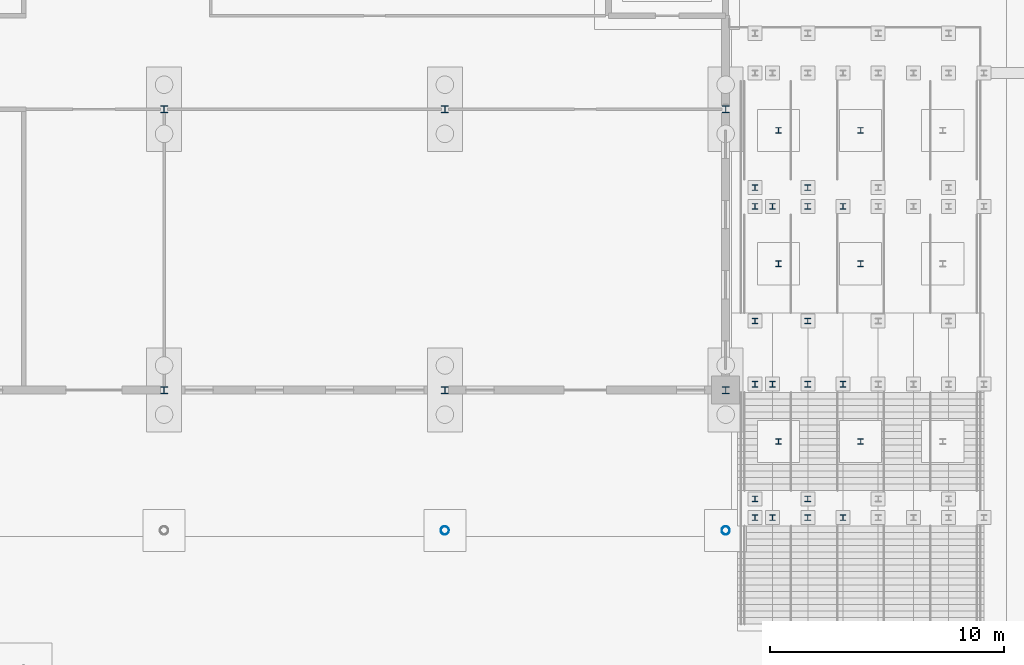
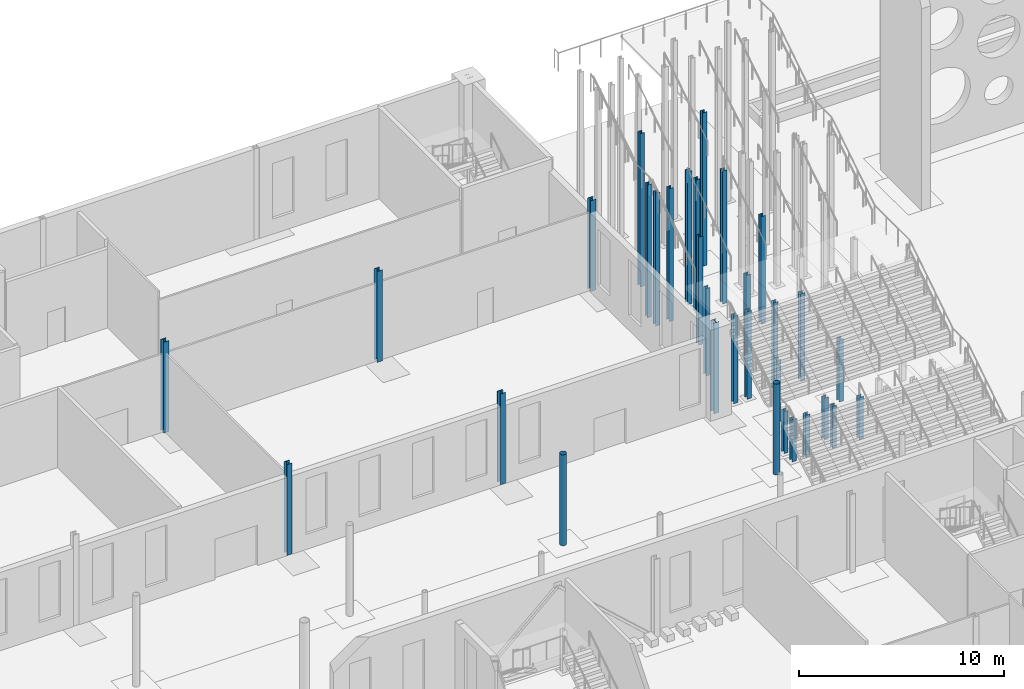
# One storey, part 33 of 132: 32 columns.
"""IFC4 building model written with IfcOpenShell, lengths in metres."""

from ifc_helpers import new_model, si_unit, direction, frame, origin, origin_2d, place, context, subcontext, project, spatial, hollow_circle, i_section, extrude, material, material_profile, profile_set, type_object, element, save


model = new_model("IFC4")

# Units and contexts
model_context = context("Model", 3, precision=1e-05, world=origin(), true_north=direction((0.0, 1.0)))
body_context = subcontext(model_context, "Body", "Model", "MODEL_VIEW")
ifc_project = project(units=[si_unit("LENGTHUNIT", "METRE"), si_unit("AREAUNIT", "SQUARE_METRE"), si_unit("VOLUMEUNIT", "CUBIC_METRE"), si_unit("PLANEANGLEUNIT", "RADIAN"), si_unit("MASSUNIT", "GRAM", prefix="KILO")], contexts=[model_context])

# Site, building, storey
site_placement = place(None, origin())
site = spatial("IfcSite", under=ifc_project, at=site_placement, CompositionType="ELEMENT")
building_placement = place(site_placement, origin())
building = spatial("IfcBuilding", under=site, at=building_placement, Name="Ravi Spectrum Wholesale Market", CompositionType="ELEMENT")
storey_placement = place(building_placement, origin())
storey = spatial("IfcBuildingStorey", under=building, at=storey_placement, Name="L00", CompositionType="ELEMENT", Elevation=0.0)

# Columns
ifc_material_1 = material(Name="Steel S355", Category="steel")
ifc_material_profile_1 = material_profile(ifc_material_1, hollow_circle(Radius=0.177734375, WallThickness=0.012451171875, at=origin_2d()))
ifc_profile_set_1 = profile_set([ifc_material_profile_1], Name="Steel S355")
column_type_1 = type_object("IfcColumnType", Name="CHS 355.6x12.5 column", PredefinedType="COLUMN", material=ifc_profile_set_1)
for number, where, z_axis, x_axis, name in (
    (1, (48.0, 204.0, 0.0), (0.0, 0.0, 1.0), (1.0, 0.0, 0.0), "OF-COL-L00-019"),
    (2, (60.0, 204.0, 0.0), (0.0, 0.0, 1.0), (1.0, 0.0, 0.0), "OF-COL-L00-020"),
):
    element("IfcColumn", number, at=place(storey_placement, frame(where, z_axis=z_axis, x_axis=x_axis)), inside=storey, type_object=column_type_1, Name=name, PredefinedType="COLUMN", context=body_context, shape_type="SweptSolid", body=[
        extrude(hollow_circle(Radius=0.177734375, WallThickness=0.012451171875, at=origin_2d()), origin(), (0.0, 0.0, 1.0), 5.39990234375),
    ])
ifc_material_2 = material(Name="Steel S355", Category="steel")
ifc_material_profile_2 = material_profile(ifc_material_2, i_section(OverallWidth=0.239990234375, OverallDepth=0.239990234375, WebThickness=0.010009765625, FlangeThickness=0.01708984375, at=origin_2d()))
ifc_profile_set_2 = profile_set([ifc_material_profile_2], Name="Steel S355")
column_type_2 = type_object("IfcColumnType", Name="HEB 240 column", PredefinedType="COLUMN", material=ifc_profile_set_2)
for number, where, z_axis, x_axis, name in (
    (3, (61.25, 204.550048828125, 0.0), (0.0, 0.0, 1.0), (1.0, 0.0, 0.0), "GW-COL-L00-001"),
    (4, (61.25, 205.35009765625, 0.0), (0.0, 0.0, 1.0), (1.0, 0.0, 0.0), "GW-COL-L00-002"),
    (5, (62.0048828125, 204.550048828125, 0.0), (0.0, 0.0, 1.0), (1.0, 0.0, 0.0), "GW-COL-L00-003"),
    (6, (63.510009765625, 204.550048828125, 0.0), (0.0, 0.0, 1.0), (1.0, 0.0, 0.0), "GW-COL-L00-004"),
    (7, (63.510009765625, 205.35009765625, 0.0), (0.0, 0.0, 1.0), (1.0, 0.0, 0.0), "GW-COL-L00-005"),
    (8, (65.014892578125, 204.550048828125, 0.0), (0.0, 0.0, 1.0), (1.0, 0.0, 0.0), "GW-COL-L00-006"),
):
    element("IfcColumn", number, at=place(storey_placement, frame(where, z_axis=z_axis, x_axis=x_axis)), inside=storey, type_object=column_type_2, Name=name, PredefinedType="COLUMN", context=body_context, shape_type="SweptSolid", body=[
        extrude(i_section(OverallWidth=0.239990234375, OverallDepth=0.239990234375, WebThickness=0.010009765625, FlangeThickness=0.01708984375, at=origin_2d()), origin(), (0.0, 0.0, 1.0), 2.5),
    ])
for number, where, z_axis, x_axis, name in (
    (9, (61.25, 210.25, 0.0), (0.0, 0.0, 1.0), (1.0, 0.0, 0.0), "GW-COL-L00-013"),
    (10, (61.25, 212.949951171875, 0.0), (0.0, 0.0, 1.0), (1.0, 0.0, 0.0), "GW-COL-L00-014"),
    (11, (62.0048828125, 210.25, 0.0), (0.0, 0.0, 1.0), (1.0, 0.0, 0.0), "GW-COL-L00-015"),
    (12, (63.510009765625, 210.25, 0.0), (0.0, 0.0, 1.0), (1.0, 0.0, 0.0), "GW-COL-L00-016"),
    (13, (63.510009765625, 212.949951171875, 0.0), (0.0, 0.0, 1.0), (1.0, 0.0, 0.0), "GW-COL-L00-017"),
    (14, (65.014892578125, 210.25, 0.0), (0.0, 0.0, 1.0), (1.0, 0.0, 0.0), "GW-COL-L00-018"),
):
    element("IfcColumn", number, at=place(storey_placement, frame(where, z_axis=z_axis, x_axis=x_axis)), inside=storey, type_object=column_type_2, Name=name, PredefinedType="COLUMN", context=body_context, shape_type="SweptSolid", body=[
        extrude(i_section(OverallWidth=0.239990234375, OverallDepth=0.239990234375, WebThickness=0.010009765625, FlangeThickness=0.01708984375, at=origin_2d()), origin(), (0.0, 0.0, 1.0), 5.199951171875),
    ])
for number, where, z_axis, x_axis, name in (
    (15, (61.25, 217.85009765625, 0.0), (0.0, 0.0, 1.0), (1.0, 0.0, 0.0), "GW-COL-L00-025"),
    (16, (61.25, 218.64990234375, 0.0), (0.0, 0.0, 1.0), (1.0, 0.0, 0.0), "GW-COL-L00-026"),
    (17, (62.0048828125, 217.85009765625, 0.0), (0.0, 0.0, 1.0), (1.0, 0.0, 0.0), "GW-COL-L00-027"),
    (18, (63.510009765625, 217.85009765625, 0.0), (0.0, 0.0, 1.0), (1.0, 0.0, 0.0), "GW-COL-L00-028"),
    (19, (63.510009765625, 218.64990234375, 0.0), (0.0, 0.0, 1.0), (1.0, 0.0, 0.0), "GW-COL-L00-029"),
    (20, (65.014892578125, 217.85009765625, 0.0), (0.0, 0.0, 1.0), (1.0, 0.0, 0.0), "GW-COL-L00-030"),
):
    element("IfcColumn", number, at=place(storey_placement, frame(where, z_axis=z_axis, x_axis=x_axis)), inside=storey, type_object=column_type_2, Name=name, PredefinedType="COLUMN", context=body_context, shape_type="SweptSolid", body=[
        extrude(i_section(OverallWidth=0.239990234375, OverallDepth=0.239990234375, WebThickness=0.010009765625, FlangeThickness=0.01708984375, at=origin_2d()), origin(), (0.0, 0.0, 1.0), 7.89990234375),
    ])
for number, where, z_axis, x_axis, name in (
    (21, (62.255859375, 207.800048828125, 0.0), (0.0, 0.0, 1.0), (1.0, 0.0, 0.0), "GW-COL-L00-049"),
    (22, (65.767578125, 207.800048828125, 0.0), (0.0, 0.0, 1.0), (1.0, 0.0, 0.0), "GW-COL-L00-050"),
):
    element("IfcColumn", number, at=place(storey_placement, frame(where, z_axis=z_axis, x_axis=x_axis)), inside=storey, type_object=column_type_2, Name=name, PredefinedType="COLUMN", context=body_context, shape_type="SweptSolid", body=[
        extrude(i_section(OverallWidth=0.239990234375, OverallDepth=0.239990234375, WebThickness=0.010009765625, FlangeThickness=0.01708984375, at=origin_2d()), origin(), (0.0, 0.0, 1.0), 3.71826171875),
    ])
for number, where, z_axis, x_axis, name in (
    (23, (62.255859375, 215.39990234375, 0.0), (0.0, 0.0, 1.0), (1.0, 0.0, 0.0), "GW-COL-L00-052"),
    (24, (65.767578125, 215.39990234375, 0.0), (0.0, 0.0, 1.0), (1.0, 0.0, 0.0), "GW-COL-L00-053"),
):
    element("IfcColumn", number, at=place(storey_placement, frame(where, z_axis=z_axis, x_axis=x_axis)), inside=storey, type_object=column_type_2, Name=name, PredefinedType="COLUMN", context=body_context, shape_type="SweptSolid", body=[
        extrude(i_section(OverallWidth=0.239990234375, OverallDepth=0.239990234375, WebThickness=0.010009765625, FlangeThickness=0.01708984375, at=origin_2d()), origin(), (0.0, 0.0, 1.0), 6.418212890625),
    ])
for number, where, z_axis, x_axis, name in (
    (25, (62.255859375, 221.10009765625, 0.0), (0.0, 0.0, 1.0), (1.0, 0.0, 0.0), "GW-COL-L00-055"),
    (26, (65.767578125, 221.10009765625, 0.0), (0.0, 0.0, 1.0), (1.0, 0.0, 0.0), "GW-COL-L00-056"),
):
    element("IfcColumn", number, at=place(storey_placement, frame(where, z_axis=z_axis, x_axis=x_axis)), inside=storey, type_object=column_type_2, Name=name, PredefinedType="COLUMN", context=body_context, shape_type="SweptSolid", body=[
        extrude(i_section(OverallWidth=0.239990234375, OverallDepth=0.239990234375, WebThickness=0.010009765625, FlangeThickness=0.01708984375, at=origin_2d()), origin(), (0.0, 0.0, 1.0), 9.1181640625),
    ])
ifc_material_3 = material(Name="Steel S355", Category="steel")
ifc_material_profile_3 = material_profile(ifc_material_3, i_section(OverallWidth=0.300048828125, OverallDepth=0.300048828125, WebThickness=0.010986328125, FlangeThickness=0.01904296875, at=origin_2d()))
ifc_profile_set_3 = profile_set([ifc_material_profile_3], Name="Steel S355")
column_type_3 = type_object("IfcColumnType", Name="HEB 300 column", PredefinedType="COLUMN", material=ifc_profile_set_3)
for number, where, z_axis, x_axis, name in (
    (27, (36.0, 210.0, 0.0), (0.0, 0.0, 1.0), (1.0, 0.0, 0.0), "OF-COL-L00-007"),
    (28, (36.0, 222.0, 0.0), (0.0, 0.0, 1.0), (1.0, 0.0, 0.0), "OF-COL-L00-008"),
    (29, (48.0, 210.0, 0.0), (0.0, 0.0, 1.0), (1.0, 0.0, 0.0), "OF-COL-L00-010"),
    (30, (48.0, 222.0, 0.0), (0.0, 0.0, 1.0), (1.0, 0.0, 0.0), "OF-COL-L00-011"),
    (31, (60.0, 210.0, 0.0), (0.0, 0.0, 1.0), (1.0, 0.0, 0.0), "OF-COL-L00-013"),
    (32, (60.0, 222.0, 0.0), (0.0, 0.0, 1.0), (1.0, 0.0, 0.0), "OF-COL-L00-014"),
):
    element("IfcColumn", number, at=place(storey_placement, frame(where, z_axis=z_axis, x_axis=x_axis)), inside=storey, type_object=column_type_3, Name=name, PredefinedType="COLUMN", context=body_context, shape_type="SweptSolid", body=[
        extrude(i_section(OverallWidth=0.300048828125, OverallDepth=0.300048828125, WebThickness=0.010986328125, FlangeThickness=0.01904296875, at=origin_2d()), origin(), (0.0, 0.0, 1.0), 5.39990234375),
    ])

save(model, "model.ifc")
